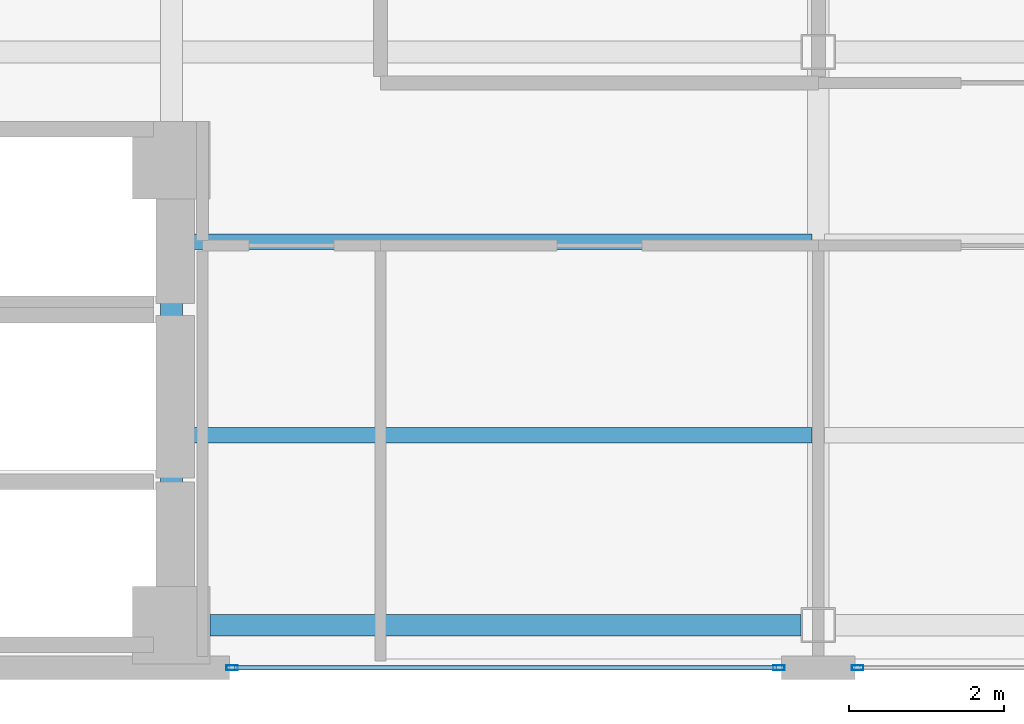
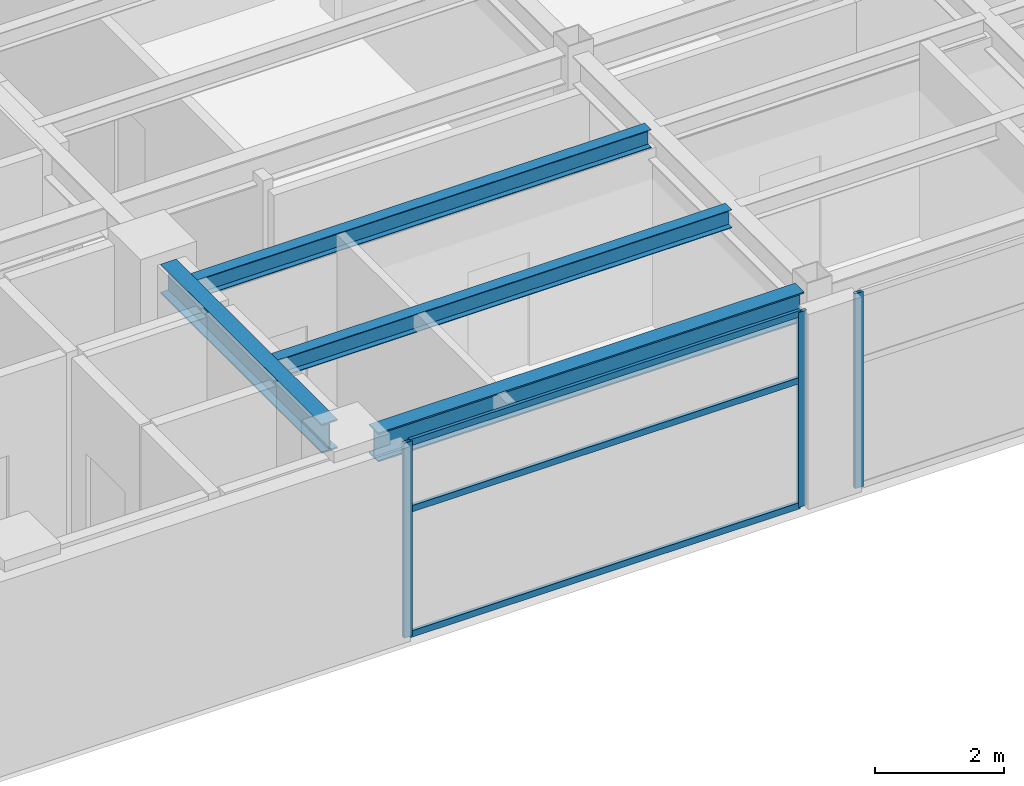
# One storey, part 4 of 15: 6 members, 4 beams, 2 elements without a shape of their own.
"""IFC4 building model written with IfcOpenShell, lengths in metres."""

from ifc_helpers import new_model, si_unit, direction, frame, origin, origin_2d, place, context, subcontext, project, spatial, hollow_rectangle, i_section, extrude, material, layer, layer_set, material_profile, profile_set, type_object, element, aggregate, save


model = new_model("IFC4")

# Units and contexts
model_context = context("Model", 3, precision=1e-05, world=origin(), true_north=direction((0.0, 1.0)))
body_context = subcontext(model_context, "Body", "Model", "MODEL_VIEW")
ifc_project = project(units=[si_unit("LENGTHUNIT", "METRE"), si_unit("AREAUNIT", "SQUARE_METRE"), si_unit("VOLUMEUNIT", "CUBIC_METRE"), si_unit("PLANEANGLEUNIT", "RADIAN"), si_unit("MASSUNIT", "GRAM", prefix="KILO")], contexts=[model_context])

# Site, building, storey
site_placement = place(None, origin())
site = spatial("IfcSite", under=ifc_project, at=site_placement, CompositionType="ELEMENT")
building_placement = place(site_placement, origin())
building = spatial("IfcBuilding", under=site, at=building_placement, Name="Mawjaban Terraces University", CompositionType="ELEMENT")
storey_placement = place(building_placement, frame((0.0, 0.0, 207.0)))
storey = spatial("IfcBuildingStorey", under=building, at=storey_placement, Name="L50", CompositionType="ELEMENT", Elevation=207.0)

# Beams
ifc_material_1 = material(Name="Steel ASTM A572 Grade 50", Category="steel")
ifc_material_profile_1 = material_profile(ifc_material_1, i_section(OverallWidth=0.281005859375, OverallDepth=0.551025390625, WebThickness=0.01513671875, FlangeThickness=0.02587890625, at=origin_2d()), Name="W530X182")
ifc_profile_set_1 = profile_set([ifc_material_profile_1], Name="Steel ASTM A572 Grade 50")
beam_type_1 = type_object("IfcBeamType", Name="Beam_B_W530X182", PredefinedType="BEAM", material=ifc_profile_set_1)
beam_1_placement = place(storey_placement, frame((38.14990234375, 0.550048828125, 3.4150390625), z_axis=(1.0, 0.0, 0.0), x_axis=(0.0, 1.0, 0.0)))
element("IfcBeam", 1, at=beam_1_placement, inside=storey, type_object=beam_type_1, Name="L50 Beam BM-L50-EW-01", PredefinedType="BEAM", context=body_context, shape_type="SweptSolid", body=[
    extrude(i_section(OverallWidth=0.281005859375, OverallDepth=0.551025390625, WebThickness=0.01513671875, FlangeThickness=0.02587890625, at=origin_2d()), origin(), (0.0, 0.0, 1.0), 7.625),
])
beam_2_placement = place(storey_placement, frame((37.64990234375, 1.050048828125, 3.4150390625), z_axis=(0.0, 1.0, 0.0), x_axis=(-1.0, 0.0, 0.0)))
element("IfcBeam", 2, at=beam_2_placement, inside=storey, type_object=beam_type_1, Name="L50 Beam BM-L50-NS-05", PredefinedType="BEAM", context=body_context, shape_type="SweptSolid", body=[
    extrude(i_section(OverallWidth=0.281005859375, OverallDepth=0.551025390625, WebThickness=0.01513671875, FlangeThickness=0.02587890625, at=origin_2d()), origin(), (0.0, 0.0, 1.0), 5.0),
])
ifc_material_profile_2 = material_profile(ifc_material_1, i_section(OverallWidth=0.202880859375, OverallDepth=0.346923828125, WebThickness=0.0078125, FlangeThickness=0.013427734375, at=origin_2d()), Name="W360X64")
ifc_profile_set_2 = profile_set([ifc_material_profile_2], Name="Steel ASTM A572 Grade 50")
beam_type_2 = type_object("IfcBeamType", Name="Beam_J_W360X64", PredefinedType="JOIST", material=ifc_profile_set_2)
for number, where, z_axis, x_axis, name in (
    (3, (37.72998046875, 3.0, 3.51708984375), (1.0, 0.0, 0.0), (0.0, 1.0, 0.0), "L50 Composite Joist JST-L50-01"),
    (4, (37.72998046875, 5.5, 3.51708984375), (1.0, 0.0, 0.0), (0.0, 1.0, 0.0), "L50 Composite Joist JST-L50-04"),
):
    element("IfcBeam", number, at=place(storey_placement, frame(where, z_axis=z_axis, x_axis=x_axis)), inside=storey, type_object=beam_type_2, Name=name, PredefinedType="JOIST", context=body_context, shape_type="SweptSolid", body=[
        extrude(i_section(OverallWidth=0.202880859375, OverallDepth=0.346923828125, WebThickness=0.0078125, FlangeThickness=0.013427734375, at=origin_2d()), origin(), (0.0, 0.0, 1.0), 8.18994140625),
    ])

# Curtain wall, members
ifc_material_2 = material(Name="Anodised aluminium 6063-T6 and solar-control low-E glass", Category="aluminium")
ifc_layer = layer(ifc_material_2, 0.159912109375)
ifc_layer_set = layer_set([ifc_layer], Name="Anodised aluminium 6063-T6 and solar-control low-E glass")
curtain_wall_type = type_object("IfcCurtainWallType", Name="CWSystem_03_NorthWing", PredefinedType="NOTDEFINED", material=ifc_layer_set)
curtain_wall_1_placement = place(storey_placement, origin())
curtain_wall_1 = element("IfcCurtainWall", 5, at=curtain_wall_1_placement, inside=storey, type_object=curtain_wall_type, Name="L50 Curtain Wall CW-03 Run 1.2", PredefinedType="NOTDEFINED")
ifc_material_3 = material(Name="Anodised aluminium 6063-T6", Category="aluminium")
ifc_material_profile_3 = material_profile(ifc_material_3, hollow_rectangle(XDim=0.06005859375, YDim=0.14990234375, WallThickness=0.00390625, at=origin_2d()), Name="ALU150X60X4")
ifc_profile_set_3 = profile_set([ifc_material_profile_3], Name="Anodised aluminium 6063-T6")
member_type_1 = type_object("IfcMemberType", Name="Mullion_CW-03", PredefinedType="MULLION", material=ifc_profile_set_3)
member_1_placement = place(storey_placement, frame((38.4326171875, 0.0, 0.0), z_axis=(0.0, 0.0, 1.0), x_axis=(0.0, 1.0, 0.0)))
member_1 = element("IfcMember", 6, at=member_1_placement, type_object=member_type_1, Name="CW-03 mullion 1", PredefinedType="MULLION", context=body_context, shape_type="SweptSolid", body=[
    extrude(hollow_rectangle(XDim=0.06005859375, YDim=0.14990234375, WallThickness=0.00390625, at=origin_2d()), origin(), (0.0, 0.0, 1.0), 3.68994140625),
])
member_2_placement = place(storey_placement, frame((45.492431640625, 0.0, 0.0), z_axis=(0.0, 0.0, 1.0), x_axis=(0.0, 1.0, 0.0)))
member_2 = element("IfcMember", 7, at=member_2_placement, type_object=member_type_1, Name="CW-03 mullion 2", PredefinedType="MULLION", context=body_context, shape_type="SweptSolid", body=[
    extrude(hollow_rectangle(XDim=0.06005859375, YDim=0.14990234375, WallThickness=0.00390625, at=origin_2d()), origin(), (0.0, 0.0, 1.0), 3.68994140625),
])

# Curtain wall, member
curtain_wall_2_placement = place(storey_placement, origin())
curtain_wall_2 = element("IfcCurtainWall", 8, at=curtain_wall_2_placement, inside=storey, type_object=curtain_wall_type, Name="L50 Curtain Wall CW-03 Run 1.3", PredefinedType="NOTDEFINED")
member_3_placement = place(storey_placement, frame((46.507568359375, 0.0, 0.0), z_axis=(0.0, 0.0, 1.0), x_axis=(0.0, 1.0, 0.0)))
member_3 = element("IfcMember", 9, at=member_3_placement, type_object=member_type_1, Name="CW-03 mullion 1", PredefinedType="MULLION", context=body_context, shape_type="SweptSolid", body=[
    extrude(hollow_rectangle(XDim=0.06005859375, YDim=0.14990234375, WallThickness=0.00390625, at=origin_2d()), origin(), (0.0, 0.0, 1.0), 3.68994140625),
])
aggregate(curtain_wall_2, [member_3])

# Member
ifc_material_profile_4 = material_profile(ifc_material_3, hollow_rectangle(XDim=0.06005859375, YDim=0.1201171875, WallThickness=0.00341796875, at=origin_2d()), Name="ALU120X60X3.5")
ifc_profile_set_4 = profile_set([ifc_material_profile_4], Name="Anodised aluminium 6063-T6")
member_type_2 = type_object("IfcMemberType", Name="Transom_CW-03", PredefinedType="NOTDEFINED", material=ifc_profile_set_4)
member_4_placement = place(storey_placement, frame((38.465087890625, 0.0, 0.030029296875), z_axis=(1.0, 0.0, 0.0), x_axis=(0.0, 1.0, 0.0)))
member_4 = element("IfcMember", 10, at=member_4_placement, type_object=member_type_2, Name="CW-03 transom 1.1", ObjectType="TRANSOM", PredefinedType="USERDEFINED", context=body_context, shape_type="SweptSolid", body=[
    extrude(hollow_rectangle(XDim=0.06005859375, YDim=0.1201171875, WallThickness=0.00341796875, at=origin_2d()), origin(), (0.0, 0.0, 1.0), 6.994873046875),
])

member_5_placement = place(storey_placement, frame((38.465087890625, 0.0, 2.39892578125), z_axis=(1.0, 0.0, 0.0), x_axis=(0.0, 1.0, 0.0)))
member_5 = element("IfcMember", 11, at=member_5_placement, type_object=member_type_2, Name="CW-03 transom 1.2", ObjectType="TRANSOM", PredefinedType="USERDEFINED", context=body_context, shape_type="SweptSolid", body=[
    extrude(hollow_rectangle(XDim=0.06005859375, YDim=0.1201171875, WallThickness=0.00341796875, at=origin_2d()), origin(), (0.0, 0.0, 1.0), 6.994873046875),
])

member_6_placement = place(storey_placement, frame((38.465087890625, 0.0, 3.659912109375), z_axis=(1.0, 0.0, 0.0), x_axis=(0.0, 1.0, 0.0)))
member_6 = element("IfcMember", 12, at=member_6_placement, type_object=member_type_2, Name="CW-03 transom 1.3", ObjectType="TRANSOM", PredefinedType="USERDEFINED", context=body_context, shape_type="SweptSolid", body=[
    extrude(hollow_rectangle(XDim=0.06005859375, YDim=0.1201171875, WallThickness=0.00341796875, at=origin_2d()), origin(), (0.0, 0.0, 1.0), 6.994873046875),
])

aggregate(curtain_wall_1, [member_1, member_2, member_4, member_5, member_6])

save(model, "model.ifc")
